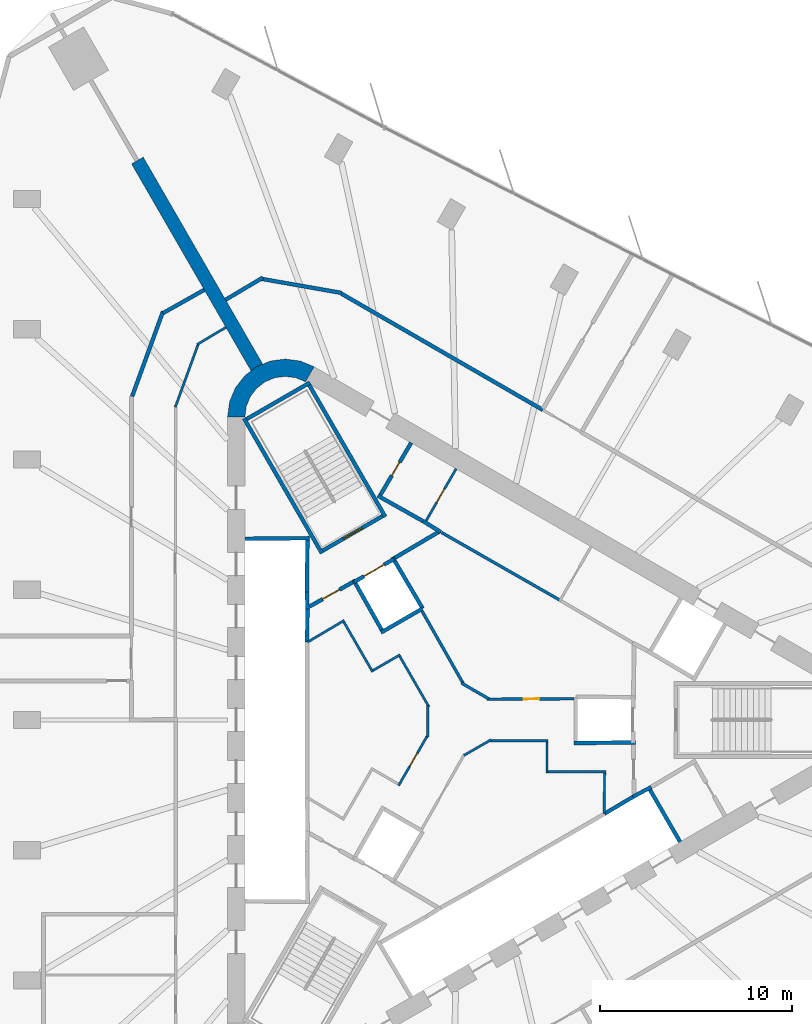
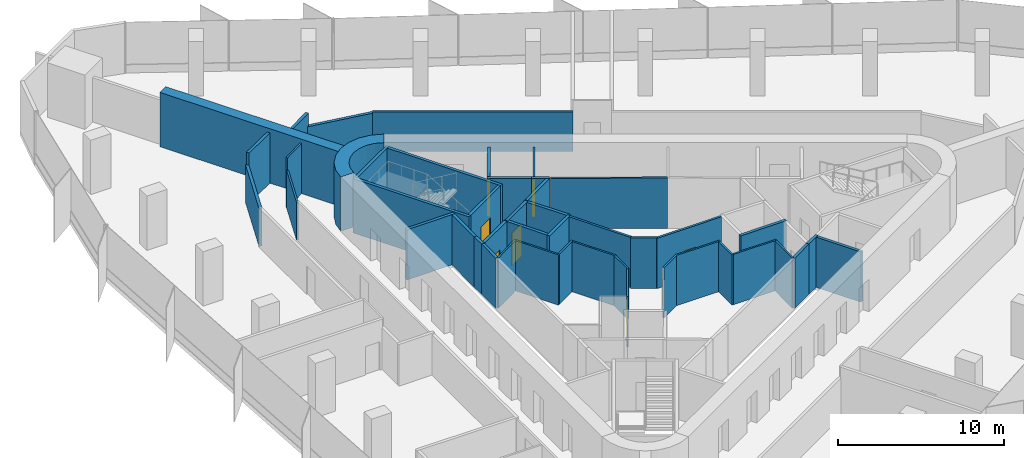
# One storey, part 10 of 13: 46 walls, 7 doors, 7 openings.
"""IFC4 building model written with IfcOpenShell, lengths in metres."""

from ifc_helpers import new_model, si_unit, direction, frame, frame_2d, origin, place, context, subcontext, project, spatial, polyline, rectangle, outline, extrude, material, layer, layer_set, type_object, element, fill, save


model = new_model("IFC4")

# Units and contexts
model_context = context("Model", 3, precision=1e-05, world=origin(), true_north=direction((0.0, 1.0)))
body_context = subcontext(model_context, "Body", "Model", "MODEL_VIEW")
ifc_project = project(units=[si_unit("LENGTHUNIT", "METRE"), si_unit("AREAUNIT", "SQUARE_METRE"), si_unit("VOLUMEUNIT", "CUBIC_METRE"), si_unit("PLANEANGLEUNIT", "RADIAN"), si_unit("MASSUNIT", "GRAM", prefix="KILO")], contexts=[model_context])

# Site, building, storey
site_placement = place(None, origin())
site = spatial("IfcSite", under=ifc_project, at=site_placement, CompositionType="ELEMENT")
building_placement = place(site_placement, origin())
building = spatial("IfcBuilding", under=site, at=building_placement, Name="Tanit Gate Tower", CompositionType="ELEMENT")
storey_placement = place(building_placement, frame((0.0, 0.0, 177.199951171875)))
storey = spatial("IfcBuildingStorey", under=building, at=storey_placement, Name="L38", CompositionType="ELEMENT", Elevation=177.199951171875)

# Walls
ifc_material_1 = material(Name="Concrete C50/60", Category="concrete")
ifc_layer_1 = layer(ifc_material_1, 0.699951171875)
ifc_layer_set_1 = layer_set([ifc_layer_1], Name="BUTTRESS FIN 700 C50/60")
wall_type_1 = type_object("IfcWallType", Name="BUTTRESS FIN 700 C50/60", PredefinedType="SHEAR", material=ifc_layer_set_1)
wall_1_placement = place(storey_placement, frame((-10.574951171875, 18.31640625, 0.0), z_axis=(0.0, 0.0, 1.0), x_axis=(-0.499995558535, 0.86602796805, 0.0)))
element("IfcWall", 1, at=wall_1_placement, inside=storey, type_object=wall_type_1, Name="BUTTRESS FIN", PredefinedType="SHEAR", context=body_context, shape_type="SweptSolid", body=[
    extrude(rectangle(XDim=12.4326171875, YDim=0.699951171875, at=frame_2d((6.21630859375, 0.0))), origin(), (0.0, 0.0, 1.0), 4.0),
])
ifc_material_2 = material(Name="Concrete C50/60", Category="concrete")
ifc_layer_2 = layer(ifc_material_2, 0.89990234375)
ifc_layer_set_2 = layer_set([ifc_layer_2], Name="CORE WALL 900 C50/60")
wall_type_2 = type_object("IfcWallType", Name="CORE WALL 900 C50/60", PredefinedType="SHEAR", material=ifc_layer_set_2)
wall_2_placement = place(storey_placement, origin())
element("IfcWall", 2, at=wall_2_placement, inside=storey, type_object=wall_type_2, Name="CORE WALL CORNER", PredefinedType="SHEAR", context=body_context, shape_type="SweptSolid", body=[
    extrude(outline(polyline([(-7.60009765625, 18.359619140625), (-8.323486328125, 18.659423828125), (-9.10009765625, 18.76171875), (-9.87646484375, 18.659423828125), (-10.60009765625, 18.359619140625), (-11.22119140625, 17.883056640625), (-11.697998046875, 17.26171875), (-11.997802734375, 16.5380859375), (-12.10009765625, 15.76171875), (-11.199951171875, 15.76171875), (-11.12841796875, 16.30517578125), (-10.918701171875, 16.811767578125), (-10.5849609375, 17.24658203125), (-10.14990234375, 17.580322265625), (-9.6435546875, 17.7900390625), (-9.10009765625, 17.86181640625), (-8.556396484375, 17.7900390625), (-8.050048828125, 17.580322265625), (-7.60009765625, 18.359619140625)])), origin(), (0.0, 0.0, 1.0), 4.0),
])
ifc_material_3 = material(Name="Fire-rated gypsum board partition")
ifc_layer_3 = layer(ifc_material_3, 0.199951171875)
ifc_layer_set_3 = layer_set([ifc_layer_3], Name="INT-WALL-COMPARTMENT")
wall_type_3 = type_object("IfcWallType", Name="INT-WALL-COMPARTMENT", PredefinedType="PARTITIONING", material=ifc_layer_set_3)
wall_3_placement = place(storey_placement, frame((-1.940673828125, 10.338623046875, 0.0), z_axis=(0.0, 0.0, 1.0), x_axis=(0.850216889117, -0.526432561171, 0.0)))
element("IfcWall", 3, at=wall_3_placement, inside=storey, type_object=wall_type_3, Name="Wall Compartment W053", PredefinedType="PARTITIONING", context=body_context, shape_type="SweptSolid", body=[
    extrude(rectangle(XDim=1.078369140625, YDim=0.199951171875, at=frame_2d((0.5390625, 0.0))), origin(), (0.0, 0.0, 1.0), 3.699951171875),
])
wall_4_placement = place(storey_placement, frame((-4.296142578125, 11.658935546875, 0.0), z_axis=(0.0, 0.0, 1.0), x_axis=(0.871534483978, -0.490334215854, 0.0)))
element("IfcWall", 4, at=wall_4_placement, inside=storey, type_object=wall_type_3, Name="Wall Compartment W055", PredefinedType="PARTITIONING", context=body_context, shape_type="SweptSolid", body=[
    extrude(rectangle(XDim=2.7001953125, YDim=0.199951171875, at=frame_2d((1.35009765625, 0.0))), origin(), (0.0, 0.0, 1.0), 3.699951171875),
])

# Wall, opening, door
wall_5_placement = place(storey_placement, frame((-2.557861328125, 14.409423828125, 0.0), z_axis=(0.0, 0.0, 1.0), x_axis=(-0.508018930956, -0.861345903683, 0.0)))
wall_5 = element("IfcWall", 5, at=wall_5_placement, inside=storey, type_object=wall_type_3, Name="Wall Compartment W056", PredefinedType="PARTITIONING", context=body_context, shape_type="SweptSolid", body=[
    extrude(rectangle(XDim=3.150146484375, YDim=0.199951171875, at=frame_2d((1.5751953125, 0.0))), origin(), (0.0, 0.0, 1.0), 3.699951171875),
])
opening_1_placement = place(wall_5_placement, frame((1.175048828125, 0.0, 0.0)))
opening_1 = element("IfcOpeningElement", 6, at=opening_1_placement, cuts=wall_5, Name="Opening R08-S09-14", PredefinedType="OPENING", context=body_context, shape_type="SweptSolid", body=[
    extrude(rectangle(XDim=0.800048828125, YDim=2.10009765625, at=frame_2d((0.39990234375, 1.050048828125))), frame((0.0, 0.10986328125, 0.0), z_axis=(0.0, -1.0, 0.0), x_axis=(1.0, 0.0, 0.0)), (0.0, 0.0, 1.0), 0.219970703125),
])
ifc_material_4 = material(Name="Timber door leaf", Category="wood")
door_type_1 = type_object("IfcDoorType", Name="INT-DOOR-RISER-800", OperationType="NOTDEFINED", PredefinedType="USERDEFINED", material=ifc_material_4)
door_1_placement = place(opening_1_placement, origin())
door_1 = element("IfcDoor", 7, at=door_1_placement, inside=storey, type_object=door_type_1, Name="Door R08-S09-14", ObjectType="FIRE DOOR", OperationType="SINGLE_SWING_LEFT", OverallHeight=2.10009765625, OverallWidth=0.800048828125, PredefinedType="USERDEFINED", context=body_context, shape_type="SweptSolid", body=[
    extrude(rectangle(XDim=0.800048828125, YDim=2.10009765625, at=frame_2d((0.39990234375, 1.050048828125))), frame((0.0, 0.02490234375, 0.0), z_axis=(0.0, -1.0, 0.0), x_axis=(1.0, 0.0, 0.0)), (0.0, 0.0, 1.0), 0.050048828125),
])
fill(opening_1, door_1)

# Wall
wall_6_placement = place(storey_placement, frame((-1.0546875, 9.818359375, 0.0), z_axis=(0.0, 0.0, 1.0), x_axis=(-0.860614334655, -0.50925726994, 0.0)))
element("IfcWall", 8, at=wall_6_placement, inside=storey, type_object=wall_type_3, Name="Wall Compartment W061", PredefinedType="PARTITIONING", context=body_context, shape_type="SweptSolid", body=[
    extrude(rectangle(XDim=2.725830078125, YDim=0.199951171875, at=frame_2d((1.36279296875, 0.0))), origin(), (0.0, 0.0, 1.0), 3.699951171875),
])

# Wall, opening, door
wall_7_placement = place(storey_placement, frame((-5.600341796875, 7.16015625, 0.0), z_axis=(0.0, 0.0, 1.0), x_axis=(-0.871363259478, -0.490638431059, 0.0)))
wall_7 = element("IfcWall", 9, at=wall_7_placement, inside=storey, type_object=wall_type_3, Name="Wall Compartment W062", PredefinedType="PARTITIONING", context=body_context, shape_type="SweptSolid", body=[
    extrude(rectangle(XDim=2.5810546875, YDim=0.199951171875, at=frame_2d((1.29052734375, 0.0))), origin(), (0.0, 0.0, 1.0), 3.699951171875),
])
opening_2_placement = place(wall_7_placement, frame((0.79052734375, 0.0, 0.0)))
opening_2 = element("IfcOpeningElement", 10, at=opening_2_placement, cuts=wall_7, Name="Opening F10-S09-05", PredefinedType="OPENING", context=body_context, shape_type="SweptSolid", body=[
    extrude(rectangle(XDim=1.0, YDim=2.10009765625, at=frame_2d((0.5, 1.050048828125))), frame((0.0, 0.10986328125, 0.0), z_axis=(0.0, -1.0, 0.0), x_axis=(1.0, 0.0, 0.0)), (0.0, 0.0, 1.0), 0.219970703125),
])
ifc_material_5 = material(Name="Fire-rated steel door leaf", Category="steel")
door_type_2 = type_object("IfcDoorType", Name="INT-DOOR-FIRE-1000", OperationType="NOTDEFINED", PredefinedType="USERDEFINED", material=ifc_material_5)
door_2_placement = place(opening_2_placement, origin())
door_2 = element("IfcDoor", 11, at=door_2_placement, inside=storey, type_object=door_type_2, Name="Door F10-S09-05", ObjectType="FIRE DOOR", OperationType="SINGLE_SWING_RIGHT", OverallHeight=2.10009765625, OverallWidth=1.0, PredefinedType="USERDEFINED", context=body_context, shape_type="SweptSolid", body=[
    extrude(rectangle(XDim=1.0, YDim=2.10009765625, at=frame_2d((0.5, 1.050048828125))), frame((0.0, 0.02490234375, 0.0), z_axis=(0.0, -1.0, 0.0), x_axis=(1.0, 0.0, 0.0)), (0.0, 0.0, 1.0), 0.050048828125),
])
fill(opening_2, door_2)

# Walls
wall_8_placement = place(storey_placement, frame((-15.456298828125, 21.238525390625, 0.0), z_axis=(0.0, 0.0, 1.0), x_axis=(-0.34205546997, -0.939679762187, 0.0)))
element("IfcWall", 12, at=wall_8_placement, inside=storey, type_object=wall_type_3, Name="Wall Compartment W090", PredefinedType="PARTITIONING", context=body_context, shape_type="SweptSolid", body=[
    extrude(rectangle(XDim=4.705810546875, YDim=0.199951171875, at=frame_2d((2.35302734375, 0.0))), origin(), (0.0, 0.0, 1.0), 2.780029296875),
])
wall_9_placement = place(storey_placement, frame((-13.31298828125, 22.35888671875, 0.0), z_axis=(0.0, 0.0, 1.0), x_axis=(-0.87121710687, -0.490897904555, 0.0)))
element("IfcWall", 13, at=wall_9_placement, inside=storey, type_object=wall_type_3, Name="Wall Compartment W091", PredefinedType="PARTITIONING", context=body_context, shape_type="SweptSolid", body=[
    extrude(rectangle(XDim=2.457275390625, YDim=0.199951171875, at=frame_2d((1.228515625, 0.0))), origin(), (0.0, 0.0, 1.0), 3.699951171875),
])
wall_10_placement = place(storey_placement, frame((-10.26513671875, 22.995849609375, 0.0), z_axis=(0.0, 0.0, 1.0), x_axis=(-0.859934823121, -0.510403859687, 0.0)))
element("IfcWall", 14, at=wall_10_placement, inside=storey, type_object=wall_type_3, Name="Wall Compartment W098", PredefinedType="PARTITIONING", context=body_context, shape_type="SweptSolid", body=[
    extrude(rectangle(XDim=2.25830078125, YDim=0.199951171875, at=frame_2d((1.129150390625, 0.0))), origin(), (0.0, 0.0, 1.0), 3.699951171875),
])
wall_11_placement = place(storey_placement, frame((-6.18115234375, 22.19873046875, 0.0), z_axis=(0.0, 0.0, 1.0), x_axis=(-0.984807544765, 0.17364935869, 0.0)))
element("IfcWall", 15, at=wall_11_placement, inside=storey, type_object=wall_type_3, Name="Wall Compartment W099", PredefinedType="PARTITIONING", context=body_context, shape_type="SweptSolid", body=[
    extrude(rectangle(XDim=4.199462890625, YDim=0.199951171875, at=frame_2d((2.099609375, 0.0))), origin(), (0.0, 0.0, 1.0), 2.780029296875),
])
wall_12_placement = place(storey_placement, frame((4.28271484375, 16.117919921875, 0.0), z_axis=(0.0, 0.0, 1.0), x_axis=(-0.866016186489, 0.500015964484, 0.0)))
element("IfcWall", 16, at=wall_12_placement, inside=storey, type_object=wall_type_3, Name="Wall Compartment W100", PredefinedType="PARTITIONING", context=body_context, shape_type="SweptSolid", body=[
    extrude(rectangle(XDim=12.09619140625, YDim=0.199951171875, at=frame_2d((6.048095703125, 0.0))), origin(), (0.0, 0.0, 1.0), 2.880126953125),
])

# Wall, opening, door
ifc_material_6 = material(Name="Gypsum board partition")
ifc_layer_4 = layer(ifc_material_6, 0.1201171875)
ifc_layer_set_4 = layer_set([ifc_layer_4], Name="INT-WALL-PARTITION")
wall_type_4 = type_object("IfcWallType", Name="INT-WALL-PARTITION", PredefinedType="PARTITIONING", material=ifc_layer_set_4)
wall_13_placement = place(storey_placement, frame((-0.2197265625, 13.0595703125, 0.0), z_axis=(0.0, 0.0, 1.0), x_axis=(-0.499984717929, -0.866034226713, 0.0)))
wall_13 = element("IfcWall", 17, at=wall_13_placement, inside=storey, type_object=wall_type_4, Name="Wall Partition W052", PredefinedType="PARTITIONING", context=body_context, shape_type="SweptSolid", body=[
    extrude(rectangle(XDim=3.25, YDim=0.1201171875, at=frame_2d((1.625, 0.0))), origin(), (0.0, 0.0, 1.0), 3.699951171875),
])
opening_3_placement = place(wall_13_placement, frame((1.22509765625, 0.0, 0.0)))
opening_3 = element("IfcOpeningElement", 18, at=opening_3_placement, cuts=wall_13, Name="Opening R08-S09-30", PredefinedType="OPENING", context=body_context, shape_type="SweptSolid", body=[
    extrude(rectangle(XDim=0.800048828125, YDim=2.10009765625, at=frame_2d((0.39990234375, 1.050048828125))), frame((0.0, 0.070068359375, 0.0), z_axis=(0.0, -1.0, 0.0), x_axis=(1.0, 0.0, 0.0)), (0.0, 0.0, 1.0), 0.14013671875),
])
door_3_placement = place(opening_3_placement, origin())
door_3 = element("IfcDoor", 19, at=door_3_placement, inside=storey, type_object=door_type_1, Name="Door R08-S09-30", ObjectType="FIRE DOOR", OperationType="SINGLE_SWING_LEFT", OverallHeight=2.10009765625, OverallWidth=0.800048828125, PredefinedType="USERDEFINED", context=body_context, shape_type="SweptSolid", body=[
    extrude(rectangle(XDim=0.800048828125, YDim=2.10009765625, at=frame_2d((0.39990234375, 1.050048828125))), frame((0.0, 0.02490234375, 0.0), z_axis=(0.0, -1.0, 0.0), x_axis=(1.0, 0.0, 0.0)), (0.0, 0.0, 1.0), 0.050048828125),
])
fill(opening_3, door_3)

# Walls
wall_14_placement = place(storey_placement, frame((1.60546875, -1.02294921875, 0.0), z_axis=(0.0, 0.0, 1.0), x_axis=(-0.866001581989, -0.50004125829, 0.0)))
element("IfcWall", 20, at=wall_14_placement, inside=storey, type_object=wall_type_4, Name="Wall Partition W069", PredefinedType="PARTITIONING", context=body_context, shape_type="SweptSolid", body=[
    extrude(rectangle(XDim=1.635009765625, YDim=0.1201171875, at=frame_2d((0.8173828125, 0.0))), origin(), (0.0, 0.0, 1.0), 3.699951171875),
])
wall_15_placement = place(storey_placement, frame((4.56005859375, -1.074951171875, 0.0), z_axis=(0.0, 0.0, 1.0), x_axis=(-1.0, 0.0, 0.0)))
element("IfcWall", 21, at=wall_15_placement, inside=storey, type_object=wall_type_4, Name="Wall Partition W070", PredefinedType="PARTITIONING", context=body_context, shape_type="SweptSolid", body=[
    extrude(rectangle(XDim=3.02587890625, YDim=0.1201171875, at=frame_2d((1.512939453125, 0.0))), origin(), (0.0, 0.0, 1.0), 3.699951171875),
])
wall_16_placement = place(storey_placement, frame((4.5, -2.760009765625, 0.0), z_axis=(0.0, 0.0, 1.0), x_axis=(0.0, 1.0, 0.0)))
element("IfcWall", 22, at=wall_16_placement, inside=storey, type_object=wall_type_4, Name="Wall Partition W071", PredefinedType="PARTITIONING", context=body_context, shape_type="SweptSolid", body=[
    extrude(rectangle(XDim=1.625, YDim=0.1201171875, at=frame_2d((0.8125, 0.0))), origin(), (0.0, 0.0, 1.0), 3.699951171875),
])
wall_17_placement = place(storey_placement, frame((7.56005859375, -2.699951171875, 0.0), z_axis=(0.0, 0.0, 1.0), x_axis=(-1.0, 0.0, 0.0)))
element("IfcWall", 23, at=wall_17_placement, inside=storey, type_object=wall_type_4, Name="Wall Partition W072", PredefinedType="PARTITIONING", context=body_context, shape_type="SweptSolid", body=[
    extrude(rectangle(XDim=3.0, YDim=0.1201171875, at=frame_2d((1.5, 0.0))), origin(), (0.0, 0.0, 1.0), 3.699951171875),
])
wall_18_placement = place(storey_placement, frame((7.474609375, -4.864501953125, 0.0), z_axis=(0.0, 0.0, 1.0), x_axis=(0.011716133148, 0.999931363757, 0.0)))
element("IfcWall", 24, at=wall_18_placement, inside=storey, type_object=wall_type_4, Name="Wall Partition W073", PredefinedType="PARTITIONING", context=body_context, shape_type="SweptSolid", body=[
    extrude(rectangle(XDim=2.104736328125, YDim=0.1201171875, at=frame_2d((1.05224609375, 0.0))), origin(), (0.0, 0.0, 1.0), 3.699951171875),
])
wall_19_placement = place(storey_placement, frame((-6.03662109375, 5.17578125, 0.0), z_axis=(0.0, 0.0, 1.0), x_axis=(-0.860106072674, -0.510115225953, 0.0)))
element("IfcWall", 25, at=wall_19_placement, inside=storey, type_object=wall_type_4, Name="Wall Partition W074", PredefinedType="PARTITIONING", context=body_context, shape_type="SweptSolid", body=[
    extrude(rectangle(XDim=2.224609375, YDim=0.1201171875, at=frame_2d((1.1123046875, 0.0))), origin(), (0.0, 0.0, 1.0), 3.699951171875),
])
wall_20_placement = place(storey_placement, frame((-4.558349609375, 2.4951171875, 0.0), z_axis=(0.0, 0.0, 1.0), x_axis=(-0.499990139034, 0.866031096941, 0.0)))
element("IfcWall", 26, at=wall_20_placement, inside=storey, type_object=wall_type_4, Name="Wall Partition W075", PredefinedType="PARTITIONING", context=body_context, shape_type="SweptSolid", body=[
    extrude(rectangle(XDim=3.0, YDim=0.1201171875, at=frame_2d((1.5, 0.0))), origin(), (0.0, 0.0, 1.0), 3.699951171875),
])
wall_21_placement = place(storey_placement, frame((-3.12890625, 3.3896484375, 0.0), z_axis=(0.0, 0.0, 1.0), x_axis=(-0.866053003207, -0.499952193351, 0.0)))
element("IfcWall", 27, at=wall_21_placement, inside=storey, type_object=wall_type_4, Name="Wall Partition W076", PredefinedType="PARTITIONING", context=body_context, shape_type="SweptSolid", body=[
    extrude(rectangle(XDim=1.625244140625, YDim=0.1201171875, at=frame_2d((0.8125, 0.0))), origin(), (0.0, 0.0, 1.0), 3.699951171875),
])
wall_22_placement = place(storey_placement, frame((-1.63671875, 0.68505859375, 0.0), z_axis=(0.0, 0.0, 1.0), x_axis=(-0.500006252586, 0.866021793822, 0.0)))
element("IfcWall", 28, at=wall_22_placement, inside=storey, type_object=wall_type_4, Name="Wall Partition W077", PredefinedType="PARTITIONING", context=body_context, shape_type="SweptSolid", body=[
    extrude(rectangle(XDim=3.0283203125, YDim=0.1201171875, at=frame_2d((1.51416015625, 0.0))), origin(), (0.0, 0.0, 1.0), 3.699951171875),
])
wall_23_placement = place(storey_placement, frame((-1.688720703125, -0.87890625, 0.0), z_axis=(0.0, 0.0, 1.0), x_axis=(0.0, 1.0, 0.0)))
element("IfcWall", 29, at=wall_23_placement, inside=storey, type_object=wall_type_4, Name="Wall Partition W078", PredefinedType="PARTITIONING", context=body_context, shape_type="SweptSolid", body=[
    extrude(rectangle(XDim=1.63525390625, YDim=0.1201171875, at=frame_2d((0.817626953125, 0.0))), origin(), (0.0, 0.0, 1.0), 3.699951171875),
])

# Wall, opening, door
wall_24_placement = place(storey_placement, frame((-3.2109375, -3.41162109375, 0.0), z_axis=(0.0, 0.0, 1.0), x_axis=(0.499983190554, 0.866035108505, 0.0)))
wall_24 = element("IfcWall", 30, at=wall_24_placement, inside=storey, type_object=wall_type_4, Name="Wall Partition W079", PredefinedType="PARTITIONING", context=body_context, shape_type="SweptSolid", body=[
    extrude(rectangle(XDim=3.02587890625, YDim=0.1201171875, at=frame_2d((1.512939453125, 0.0))), origin(), (0.0, 0.0, 1.0), 3.699951171875),
])
opening_4_placement = place(wall_24_placement, frame((1.142822265625, 0.0, 0.0)))
opening_4 = element("IfcOpeningElement", 31, at=opening_4_placement, cuts=wall_24, Name="Opening R08-S09-12", PredefinedType="OPENING", context=body_context, shape_type="SweptSolid", body=[
    extrude(rectangle(XDim=0.800048828125, YDim=2.10009765625, at=frame_2d((0.39990234375, 1.050048828125))), frame((0.0, 0.070068359375, 0.0), z_axis=(0.0, -1.0, 0.0), x_axis=(1.0, 0.0, 0.0)), (0.0, 0.0, 1.0), 0.14013671875),
])
door_4_placement = place(opening_4_placement, origin())
door_4 = element("IfcDoor", 32, at=door_4_placement, inside=storey, type_object=door_type_1, Name="Door R08-S09-12", ObjectType="FIRE DOOR", OperationType="SINGLE_SWING_LEFT", OverallHeight=2.10009765625, OverallWidth=0.800048828125, PredefinedType="USERDEFINED", context=body_context, shape_type="SweptSolid", body=[
    extrude(rectangle(XDim=0.800048828125, YDim=2.10009765625, at=frame_2d((0.39990234375, 1.050048828125))), frame((0.0, 0.02490234375, 0.0), z_axis=(0.0, -1.0, 0.0), x_axis=(1.0, 0.0, 0.0)), (0.0, 0.0, 1.0), 0.050048828125),
])
fill(opening_4, door_4)

# Walls
wall_25_placement = place(storey_placement, frame((-12.188720703125, 20.411376953125, 0.0), z_axis=(0.0, 0.0, 1.0), x_axis=(-0.858492721014, -0.51282574815, 0.0)))
element("IfcWall", 33, at=wall_25_placement, inside=storey, type_object=wall_type_4, Name="Wall Partition W083", PredefinedType="PARTITIONING", context=body_context, shape_type="SweptSolid", body=[
    extrude(rectangle(XDim=1.742431640625, YDim=0.1201171875, at=frame_2d((0.87109375, 0.0))), origin(), (0.0, 0.0, 1.0), 3.699951171875),
])
wall_26_placement = place(storey_placement, frame((-13.630615234375, 19.529541015625, 0.0), z_axis=(0.0, 0.0, 1.0), x_axis=(-0.342069878069, -0.939674517329, 0.0)))
element("IfcWall", 34, at=wall_26_placement, inside=storey, type_object=wall_type_4, Name="Wall Partition W084", PredefinedType="PARTITIONING", context=body_context, shape_type="SweptSolid", body=[
    extrude(rectangle(XDim=3.478759765625, YDim=0.1201171875, at=frame_2d((1.7392578125, 0.0))), origin(), (0.0, 0.0, 1.0), 2.780029296875),
])
ifc_material_7 = material(Name="Fire-rated gypsum board partition")
ifc_layer_5 = layer(ifc_material_7, 0.14990234375)
ifc_layer_set_5 = layer_set([ifc_layer_5], Name="INT-WALL-RISER")
wall_type_5 = type_object("IfcWallType", Name="INT-WALL-RISER", PredefinedType="PLUMBINGWALL", material=ifc_layer_set_5)
wall_27_placement = place(storey_placement, frame((5.1591796875, 6.23583984375, 0.0), z_axis=(0.0, 0.0, 1.0), x_axis=(-0.868105023632, 0.496380567654, 0.0)))
element("IfcWall", 35, at=wall_27_placement, inside=storey, type_object=wall_type_5, Name="Wall Riser W054", PredefinedType="PLUMBINGWALL", context=body_context, shape_type="SweptSolid", body=[
    extrude(rectangle(XDim=7.072265625, YDim=0.14990234375, at=frame_2d((3.5361328125, 0.0))), origin(), (0.0, 0.0, 1.0), 3.699951171875),
])

# Wall, opening, door
wall_28_placement = place(storey_placement, frame((1.3876953125, 1.07421875, 0.0), z_axis=(0.0, 0.0, 1.0), x_axis=(0.99997856967, 0.006546770205, 0.0)))
wall_28 = element("IfcWall", 36, at=wall_28_placement, inside=storey, type_object=wall_type_5, Name="Wall Riser W065", PredefinedType="PLUMBINGWALL", context=body_context, shape_type="SweptSolid", body=[
    extrude(rectangle(XDim=4.51220703125, YDim=0.14990234375, at=frame_2d((2.256103515625, 0.0))), origin(), (0.0, 0.0, 1.0), 3.699951171875),
])
opening_5_placement = place(wall_28_placement, frame((1.920166015625, 0.0, 0.0)))
opening_5 = element("IfcOpeningElement", 37, at=opening_5_placement, cuts=wall_28, Name="Opening R08-S09-10", PredefinedType="OPENING", context=body_context, shape_type="SweptSolid", body=[
    extrude(rectangle(XDim=0.800048828125, YDim=2.10009765625, at=frame_2d((0.39990234375, 1.050048828125))), frame((0.0, 0.0849609375, 0.0), z_axis=(0.0, -1.0, 0.0), x_axis=(1.0, 0.0, 0.0)), (0.0, 0.0, 1.0), 0.169921875),
])
door_5_placement = place(opening_5_placement, origin())
door_5 = element("IfcDoor", 38, at=door_5_placement, inside=storey, type_object=door_type_1, Name="Door R08-S09-10", ObjectType="FIRE DOOR", OperationType="SINGLE_SWING_RIGHT", OverallHeight=2.10009765625, OverallWidth=0.800048828125, PredefinedType="USERDEFINED", context=body_context, shape_type="SweptSolid", body=[
    extrude(rectangle(XDim=0.800048828125, YDim=2.10009765625, at=frame_2d((0.39990234375, 1.050048828125))), frame((0.0, 0.02490234375, 0.0), z_axis=(0.0, -1.0, 0.0), x_axis=(1.0, 0.0, 0.0)), (0.0, 0.0, 1.0), 0.050048828125),
])
fill(opening_5, door_5)

# Walls
wall_29_placement = place(storey_placement, frame((0.0625, 1.9140625, 0.0), z_axis=(0.0, 0.0, 1.0), x_axis=(0.866018462269, -0.500012022864, 0.0)))
element("IfcWall", 39, at=wall_29_placement, inside=storey, type_object=wall_type_5, Name="Wall Riser W066", PredefinedType="PLUMBINGWALL", context=body_context, shape_type="SweptSolid", body=[
    extrude(rectangle(XDim=1.654296875, YDim=0.14990234375, at=frame_2d((0.8271484375, 0.0))), origin(), (0.0, 0.0, 1.0), 3.699951171875),
])
wall_30_placement = place(storey_placement, frame((-1.994140625, 5.661376953125, 0.0), z_axis=(0.0, 0.0, 1.0), x_axis=(0.494341211302, -0.869267948798, 0.0)))
element("IfcWall", 40, at=wall_30_placement, inside=storey, type_object=wall_type_5, Name="Wall Riser W067", PredefinedType="PLUMBINGWALL", context=body_context, shape_type="SweptSolid", body=[
    extrude(rectangle(XDim=4.36083984375, YDim=0.14990234375, at=frame_2d((2.180419921875, 0.0))), origin(), (0.0, 0.0, 1.0), 3.699951171875),
])
ifc_material_8 = material(Name="Gypsum shaft wall system")
ifc_layer_6 = layer(ifc_material_8, 0.199951171875)
ifc_layer_set_6 = layer_set([ifc_layer_6], Name="INT-WALL-SHAFT")
wall_type_6 = type_object("IfcWallType", Name="INT-WALL-SHAFT", PredefinedType="PLUMBINGWALL", material=ifc_layer_set_6)
wall_31_placement = place(storey_placement, frame((-11.199951171875, 9.419921875, 0.0), z_axis=(0.0, 0.0, 1.0), x_axis=(0.999957167047, 0.009255488683, 0.0)))
element("IfcWall", 41, at=wall_31_placement, inside=storey, type_object=wall_type_6, Name="Wall Shaft W001", PredefinedType="PLUMBINGWALL", context=body_context, shape_type="SweptSolid", body=[
    extrude(rectangle(XDim=3.35009765625, YDim=0.199951171875, at=frame_2d((1.675048828125, 0.0))), origin(), (0.0, 0.0, 1.0), 3.699951171875),
])
wall_32_placement = place(storey_placement, frame((-7.951171875, 9.35009765625, 0.0), z_axis=(0.0, 0.0, 1.0), x_axis=(-0.011120469654, -0.999938165666, 0.0)))
element("IfcWall", 42, at=wall_32_placement, inside=storey, type_object=wall_type_6, Name="Wall Shaft W002", PredefinedType="PLUMBINGWALL", context=body_context, shape_type="SweptSolid", body=[
    extrude(rectangle(XDim=2.700439453125, YDim=0.199951171875, at=frame_2d((1.35009765625, 0.0))), origin(), (0.0, 0.0, 1.0), 3.699951171875),
])
wall_33_placement = place(storey_placement, frame((-7.97705078125, 6.650146484375, 0.0), z_axis=(0.0, 0.0, 1.0), x_axis=(0.030861509705, -0.999523670164, 0.0)))
element("IfcWall", 43, at=wall_33_placement, inside=storey, type_object=wall_type_6, Name="Wall Shaft W003", PredefinedType="PLUMBINGWALL", context=body_context, shape_type="SweptSolid", body=[
    extrude(rectangle(XDim=0.878173828125, YDim=0.199951171875, at=frame_2d((0.43896484375, 0.0))), origin(), (0.0, 0.0, 1.0), 3.699951171875),
])
wall_34_placement = place(storey_placement, frame((-7.94921875, 5.894775390625, 0.0), z_axis=(0.0, 0.0, 1.0), x_axis=(-0.012042535896, -0.999927486035, 0.0)))
element("IfcWall", 44, at=wall_34_placement, inside=storey, type_object=wall_type_6, Name="Wall Shaft W004", PredefinedType="PLUMBINGWALL", context=body_context, shape_type="SweptSolid", body=[
    extrude(rectangle(XDim=1.844970703125, YDim=0.199951171875, at=frame_2d((0.92236328125, 0.0))), origin(), (0.0, 0.0, 1.0), 3.699951171875),
])
wall_35_placement = place(storey_placement, frame((9.794677734375, -3.52490234375, 0.0), z_axis=(0.0, 0.0, 1.0), x_axis=(0.499984717929, -0.866034226713, 0.0)))
element("IfcWall", 45, at=wall_35_placement, inside=storey, type_object=wall_type_6, Name="Wall Shaft W016", PredefinedType="PLUMBINGWALL", context=body_context, shape_type="SweptSolid", body=[
    extrude(rectangle(XDim=3.25, YDim=0.199951171875, at=frame_2d((1.625, 0.0))), origin(), (0.0, 0.0, 1.0), 3.699951171875),
])
wall_36_placement = place(storey_placement, frame((8.97412109375, -3.998779296875, 0.0), z_axis=(0.0, 0.0, 1.0), x_axis=(0.880907015104, 0.473289373154, 0.0)))
element("IfcWall", 46, at=wall_36_placement, inside=storey, type_object=wall_type_6, Name="Wall Shaft W017", PredefinedType="PLUMBINGWALL", context=body_context, shape_type="SweptSolid", body=[
    extrude(rectangle(XDim=1.078125, YDim=0.199951171875, at=frame_2d((0.5390625, 0.0))), origin(), (0.0, 0.0, 1.0), 3.699951171875),
])
wall_37_placement = place(storey_placement, frame((7.4931640625, -4.87841796875, 0.0), z_axis=(0.0, 0.0, 1.0), x_axis=(0.859981807212, 0.510324691999, 0.0)))
element("IfcWall", 47, at=wall_37_placement, inside=storey, type_object=wall_type_6, Name="Wall Shaft W018", PredefinedType="PLUMBINGWALL", context=body_context, shape_type="SweptSolid", body=[
    extrude(rectangle(XDim=1.8447265625, YDim=0.199951171875, at=frame_2d((0.92236328125, 0.0))), origin(), (0.0, 0.0, 1.0), 3.699951171875),
])
wall_38_placement = place(storey_placement, frame((5.89990234375, -1.200927734375, 0.0), z_axis=(0.0, 0.0, 1.0), x_axis=(0.999950064753, 0.009993397809, 0.0)))
element("IfcWall", 48, at=wall_38_placement, inside=storey, type_object=wall_type_6, Name="Wall Shaft W031", PredefinedType="PLUMBINGWALL", context=body_context, shape_type="SweptSolid", body=[
    extrude(rectangle(XDim=3.200439453125, YDim=0.199951171875, at=frame_2d((1.60009765625, 0.0))), origin(), (0.0, 0.0, 1.0), 3.699951171875),
])

# Wall, opening, door
wall_39_placement = place(storey_placement, frame((-5.524169921875, 7.168212890625, 0.0), z_axis=(0.0, 0.0, 1.0), x_axis=(0.866024647952, 0.500001309137, 0.0)))
wall_39 = element("IfcWall", 49, at=wall_39_placement, inside=storey, type_object=wall_type_6, Name="Wall Shaft W037", PredefinedType="PLUMBINGWALL", context=body_context, shape_type="SweptSolid", body=[
    extrude(rectangle(XDim=2.39990234375, YDim=0.199951171875, at=frame_2d((1.199951171875, 0.0))), origin(), (0.0, 0.0, 1.0), 3.699951171875),
])
opening_6_placement = place(wall_39_placement, frame((0.60009765625, 0.0, 0.0)))
opening_6 = element("IfcOpeningElement", 50, at=opening_6_placement, cuts=wall_39, Name="Opening LDFL2-L38", PredefinedType="OPENING", context=body_context, shape_type="SweptSolid", body=[
    extrude(rectangle(XDim=1.199951171875, YDim=2.39990234375, at=frame_2d((0.60009765625, 1.199951171875))), frame((0.0, 0.10986328125, 0.0), z_axis=(0.0, -1.0, 0.0), x_axis=(1.0, 0.0, 0.0)), (0.0, 0.0, 1.0), 0.219970703125),
])
ifc_material_9 = material(Name="Stainless steel sliding door leaf", Category="steel")
door_type_3 = type_object("IfcDoorType", Name="INT-DOOR-LANDING-1200", OperationType="NOTDEFINED", PredefinedType="USERDEFINED", material=ifc_material_9)
door_6_placement = place(opening_6_placement, origin())
door_6 = element("IfcDoor", 51, at=door_6_placement, inside=storey, type_object=door_type_3, Name="Door LDFL2-L38", ObjectType="LANDING DOOR", OperationType="SLIDING_TO_LEFT", OverallHeight=2.39990234375, OverallWidth=1.199951171875, PredefinedType="USERDEFINED", context=body_context, shape_type="SweptSolid", body=[
    extrude(rectangle(XDim=1.199951171875, YDim=2.39990234375, at=frame_2d((0.60009765625, 1.199951171875))), frame((0.0, 0.02490234375, 0.0), z_axis=(0.0, -1.0, 0.0), x_axis=(1.0, 0.0, 0.0)), (0.0, 0.0, 1.0), 0.050048828125),
])
fill(opening_6, door_6)

# Walls
wall_40_placement = place(storey_placement, frame((-3.53759765625, 8.46533203125, 0.0), z_axis=(0.0, 0.0, 1.0), x_axis=(0.508647062354, -0.860975125052, 0.0)))
element("IfcWall", 52, at=wall_40_placement, inside=storey, type_object=wall_type_6, Name="Wall Shaft W038", PredefinedType="PLUMBINGWALL", context=body_context, shape_type="SweptSolid", body=[
    extrude(rectangle(XDim=3.10009765625, YDim=0.199951171875, at=frame_2d((1.550048828125, 0.0))), origin(), (0.0, 0.0, 1.0), 3.699951171875),
])
wall_41_placement = place(storey_placement, frame((-1.978515625, 5.785888671875, 0.0), z_axis=(0.0, 0.0, 1.0), x_axis=(-0.866016689309, -0.500015093611, 0.0)))
element("IfcWall", 53, at=wall_41_placement, inside=storey, type_object=wall_type_6, Name="Wall Shaft W039", PredefinedType="PLUMBINGWALL", context=body_context, shape_type="SweptSolid", body=[
    extrude(rectangle(XDim=2.4794921875, YDim=0.199951171875, at=frame_2d((1.23974609375, 0.0))), origin(), (0.0, 0.0, 1.0), 3.699951171875),
])
wall_42_placement = place(storey_placement, frame((-5.5625, 7.29638671875, 0.0), z_axis=(0.0, 0.0, 1.0), x_axis=(0.49134651263, -0.870964180966, 0.0)))
element("IfcWall", 54, at=wall_42_placement, inside=storey, type_object=wall_type_6, Name="Wall Shaft W040", PredefinedType="PLUMBINGWALL", context=body_context, shape_type="SweptSolid", body=[
    extrude(rectangle(XDim=3.000244140625, YDim=0.199951171875, at=frame_2d((1.5, 0.0))), origin(), (0.0, 0.0, 1.0), 3.699951171875),
])
ifc_material_10 = material(Name="Concrete C40/50", Category="concrete")
ifc_layer_7 = layer(ifc_material_10, 0.199951171875)
ifc_layer_set_7 = layer_set([ifc_layer_7], Name="INT-WALL-STAIR")
wall_type_7 = type_object("IfcWallType", Name="INT-WALL-STAIR", PredefinedType="SHEAR", material=ifc_layer_set_7)
wall_43_placement = place(storey_placement, frame((-11.245361328125, 15.677734375, -0.300048828125), z_axis=(0.0, 0.0, 1.0), x_axis=(0.499977274689, -0.866038523851, 0.0)))
element("IfcWall", 55, at=wall_43_placement, inside=storey, type_object=wall_type_7, Name="Wall Stair W033", PredefinedType="SHEAR", context=body_context, shape_type="SweptSolid", body=[
    extrude(rectangle(XDim=8.10009765625, YDim=0.199951171875, at=frame_2d((4.050048828125, 0.0))), origin(), (0.0, 0.0, 1.0), 4.0),
])
wall_44_placement = place(storey_placement, frame((-7.81787109375, 17.541015625, -0.300048828125), z_axis=(0.0, 0.0, 1.0), x_axis=(-0.866044365799, -0.499967155389, 0.0)))
element("IfcWall", 56, at=wall_44_placement, inside=storey, type_object=wall_type_7, Name="Wall Stair W034", PredefinedType="SHEAR", context=body_context, shape_type="SweptSolid", body=[
    extrude(rectangle(XDim=3.800048828125, YDim=0.199951171875, at=frame_2d((1.89990234375, 0.0))), origin(), (0.0, 0.0, 1.0), 4.0),
])
wall_45_placement = place(storey_placement, frame((-7.8544921875, 17.404541015625, -0.300048828125), z_axis=(0.0, 0.0, 1.0), x_axis=(0.499997992926, -0.866026562566, 0.0)))
element("IfcWall", 57, at=wall_45_placement, inside=storey, type_object=wall_type_7, Name="Wall Stair W035", PredefinedType="SHEAR", context=body_context, shape_type="SweptSolid", body=[
    extrude(rectangle(XDim=7.89990234375, YDim=0.199951171875, at=frame_2d((3.949951171875, 0.0))), origin(), (0.0, 0.0, 1.0), 4.0),
])

# Wall, opening, door
wall_46_placement = place(storey_placement, frame((-7.158935546875, 8.799560546875, -0.300048828125), z_axis=(0.0, 0.0, 1.0), x_axis=(0.866047807691, 0.499961193289, 0.0)))
wall_46 = element("IfcWall", 58, at=wall_46_placement, inside=storey, type_object=wall_type_7, Name="Wall Stair W036", PredefinedType="SHEAR", context=body_context, shape_type="SweptSolid", body=[
    extrude(rectangle(XDim=3.599853515625, YDim=0.199951171875, at=frame_2d((1.7998046875, 0.0))), origin(), (0.0, 0.0, 1.0), 4.0),
])
opening_7_placement = place(wall_46_placement, frame((1.25, 0.0, 0.300048828125)))
opening_7 = element("IfcOpeningElement", 59, at=opening_7_placement, cuts=wall_46, Name="Opening S11-S09-04", PredefinedType="OPENING", context=body_context, shape_type="SweptSolid", body=[
    extrude(rectangle(XDim=1.10009765625, YDim=2.10009765625, at=frame_2d((0.550048828125, 1.050048828125))), frame((0.0, 0.10986328125, 0.0), z_axis=(0.0, -1.0, 0.0), x_axis=(1.0, 0.0, 0.0)), (0.0, 0.0, 1.0), 0.219970703125),
])
ifc_material_11 = material(Name="Timber door leaf", Category="wood")
door_type_4 = type_object("IfcDoorType", Name="INT-DOOR-STAIR-1100", OperationType="NOTDEFINED", PredefinedType="USERDEFINED", material=ifc_material_11)
door_7_placement = place(opening_7_placement, origin())
door_7 = element("IfcDoor", 60, at=door_7_placement, inside=storey, type_object=door_type_4, Name="Door S11-S09-04", ObjectType="FIRE DOOR", OperationType="SINGLE_SWING_LEFT", OverallHeight=2.10009765625, OverallWidth=1.10009765625, PredefinedType="USERDEFINED", context=body_context, shape_type="SweptSolid", body=[
    extrude(rectangle(XDim=1.10009765625, YDim=2.10009765625, at=frame_2d((0.550048828125, 1.050048828125))), frame((0.0, 0.02490234375, 0.0), z_axis=(0.0, -1.0, 0.0), x_axis=(1.0, 0.0, 0.0)), (0.0, 0.0, 1.0), 0.050048828125),
])
fill(opening_7, door_7)

save(model, "model.ifc")
